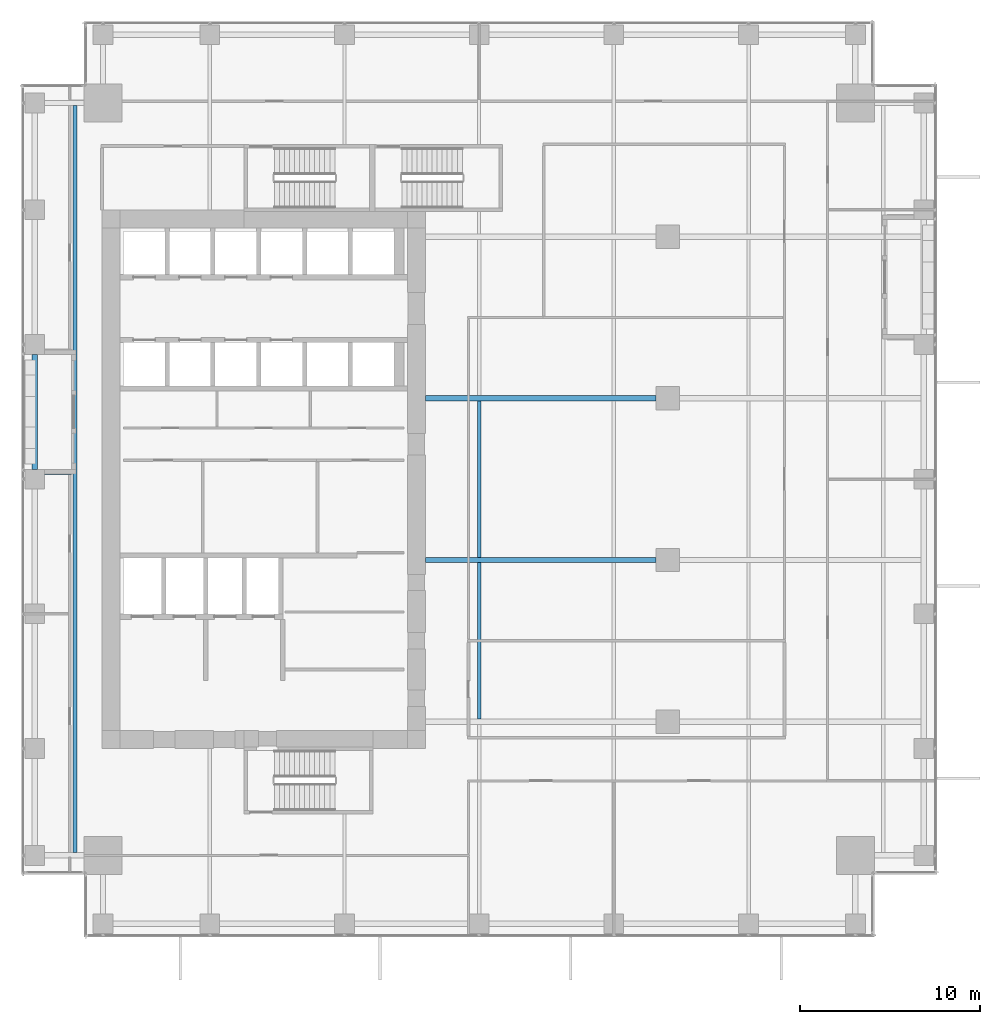
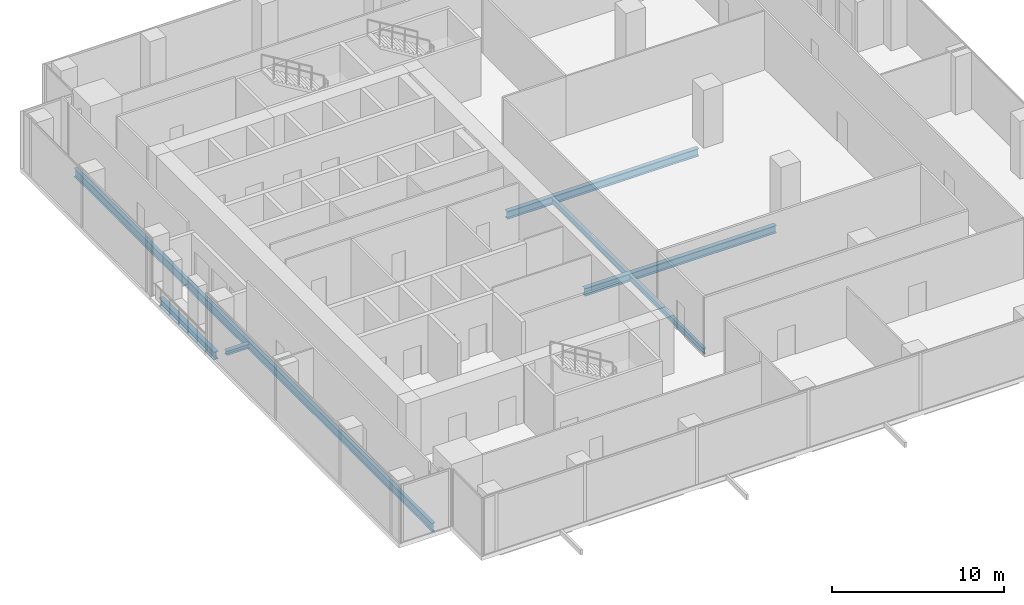
# One storey, part 8 of 35: 7 beams.
"""IFC4 building model written with IfcOpenShell, lengths in metres."""

from ifc_helpers import new_model, si_unit, direction, frame, origin, origin_2d, place, context, subcontext, project, spatial, i_section, extrude, source, transform, mapped, material, material_profile, profile_set, type_object, element, save


model = new_model("IFC4")

# Units and contexts
model_context = context("Model", 3, precision=1e-05, world=origin(), true_north=direction((0.0, 1.0)))
body_context = subcontext(model_context, "Body", "Model", "MODEL_VIEW")
ifc_project = project(units=[si_unit("LENGTHUNIT", "METRE"), si_unit("AREAUNIT", "SQUARE_METRE"), si_unit("VOLUMEUNIT", "CUBIC_METRE"), si_unit("PLANEANGLEUNIT", "RADIAN"), si_unit("MASSUNIT", "GRAM", prefix="KILO")], contexts=[model_context])

# Site, building, storey
site_placement = place(None, origin())
site = spatial("IfcSite", under=ifc_project, at=site_placement, CompositionType="ELEMENT")
building_placement = place(site_placement, origin())
building = spatial("IfcBuilding", under=site, at=building_placement, Name="Khomas Fold Tower", CompositionType="ELEMENT")
storey_placement = place(building_placement, frame((0.0, 0.0, 132.300048828125)))
storey = spatial("IfcBuildingStorey", under=building, at=storey_placement, Name="L28", CompositionType="ELEMENT", Elevation=132.300048828125)

# Beams
ifc_material_1 = material(Name="Steel S355", Category="steel")
ifc_material_profile_1 = material_profile(ifc_material_1, i_section(OverallWidth=0.179931640625, OverallDepth=0.39990234375, WebThickness=0.008544921875, FlangeThickness=0.013427734375, at=origin_2d()), Name="IPE 400")
ifc_profile_set_1 = profile_set([ifc_material_profile_1], Name="Steel S355")
beam_type_1 = type_object("IfcBeamType", Name="IPE 400 beam JB3", PredefinedType="BEAM", material=ifc_profile_set_1)
shared_shape_1 = source(origin(), body_context, "Body", "SweptSolid", [
    extrude(i_section(OverallWidth=0.179931640625, OverallDepth=0.39990234375, WebThickness=0.008544921875, FlangeThickness=0.013427734375, at=origin_2d()), origin(), (0.0, 0.0, 1.0), 8.7001953125),
])
for number, where, z_axis, x_axis, name in (
    (1, (27.0, 13.64990234375, -0.5), (0.0, 1.0, 0.0), (-1.0, 0.0, 0.0), "JB3"),
    (2, (27.0, 22.64990234375, -0.5), (0.0, 1.0, 0.0), (-1.0, 0.0, 0.0), "JB3"),
):
    element("IfcBeam", number, at=place(storey_placement, frame(where, z_axis=z_axis, x_axis=x_axis)), inside=storey, type_object=beam_type_1, Name=name, PredefinedType="BEAM", context=body_context, shape_type="MappedRepresentation", body=[
        mapped(shared_shape_1, transform((0.0, 0.0, 0.0))),
    ])
ifc_material_2 = material(Name="Steel S355", Category="steel")
ifc_material_profile_2 = material_profile(ifc_material_2, i_section(OverallWidth=0.300048828125, OverallDepth=0.550048828125, WebThickness=0.014892578125, FlangeThickness=0.029052734375, at=origin_2d()), Name="HE 550 B")
ifc_profile_set_2 = profile_set([ifc_material_profile_2], Name="Steel S355")
beam_type_2 = type_object("IfcBeamType", Name="HE 550 B spandrel SB2", PredefinedType="SPANDREL", material=ifc_profile_set_2)
shared_shape_2 = source(origin(), body_context, "Body", "SweptSolid", [
    extrude(i_section(OverallWidth=0.300048828125, OverallDepth=0.550048828125, WebThickness=0.014892578125, FlangeThickness=0.029052734375, at=origin_2d()), origin(), (0.0, 0.0, 1.0), 6.39990234375),
])
beam_1_placement = place(storey_placement, frame((2.25, 27.550048828125, -0.574951171875), z_axis=(0.0, 1.0, 0.0), x_axis=(-1.0, 0.0, 0.0)))
element("IfcBeam", 3, at=beam_1_placement, inside=storey, type_object=beam_type_2, Name="SB2", PredefinedType="SPANDREL", context=body_context, shape_type="MappedRepresentation", body=[
    mapped(shared_shape_2, transform((0.0, 0.0, 0.0))),
])
ifc_material_3 = material(Name="Steel S355", Category="steel")
ifc_material_profile_3 = material_profile(ifc_material_3, i_section(OverallWidth=0.300048828125, OverallDepth=0.550048828125, WebThickness=0.014892578125, FlangeThickness=0.029052734375, at=origin_2d()), Name="HE 550 B")
ifc_profile_set_3 = profile_set([ifc_material_profile_3], Name="Steel S355")
beam_type_3 = type_object("IfcBeamType", Name="HE 550 B beam GB4", PredefinedType="BEAM", material=ifc_profile_set_3)
shared_shape_3 = source(origin(), body_context, "Body", "SweptSolid", [
    extrude(i_section(OverallWidth=0.300048828125, OverallDepth=0.550048828125, WebThickness=0.014892578125, FlangeThickness=0.029052734375, at=origin_2d()), origin(), (0.0, 0.0, 1.0), 12.85009765625),
])
for number, where, z_axis, x_axis, name in (
    (4, (24.0, 22.5, -0.574951171875), (1.0, 0.0, 0.0), (0.0, 1.0, 0.0), "GB4"),
    (5, (24.0, 31.5, -0.574951171875), (1.0, 0.0, 0.0), (0.0, 1.0, 0.0), "GB4"),
):
    element("IfcBeam", number, at=place(storey_placement, frame(where, z_axis=z_axis, x_axis=x_axis)), inside=storey, type_object=beam_type_3, Name=name, PredefinedType="BEAM", context=body_context, shape_type="MappedRepresentation", body=[
        mapped(shared_shape_3, transform((0.0, 0.0, 0.0))),
    ])
ifc_material_4 = material(Name="Steel S355", Category="steel")
ifc_material_profile_4 = material_profile(ifc_material_4, i_section(OverallWidth=0.219970703125, OverallDepth=0.60009765625, WebThickness=0.011962890625, FlangeThickness=0.01904296875, at=origin_2d()), Name="IPE 600")
ifc_profile_set_4 = profile_set([ifc_material_profile_4], Name="Steel S355")
beam_type_4 = type_object("IfcBeamType", Name="IPE 600 beam JB7", PredefinedType="BEAM", material=ifc_profile_set_4)
shared_shape_4 = source(origin(), body_context, "Body", "SweptSolid", [
    extrude(i_section(OverallWidth=0.219970703125, OverallDepth=0.60009765625, WebThickness=0.011962890625, FlangeThickness=0.01904296875, at=origin_2d()), origin(), (0.0, 0.0, 1.0), 41.60009765625),
])
beam_2_placement = place(storey_placement, frame((4.5, 6.199951171875, -0.60009765625), z_axis=(0.0, 1.0, 0.0), x_axis=(-1.0, 0.0, 0.0)))
element("IfcBeam", 6, at=beam_2_placement, inside=storey, type_object=beam_type_4, Name="JB7", PredefinedType="BEAM", context=body_context, shape_type="MappedRepresentation", body=[
    mapped(shared_shape_4, transform((0.0, 0.0, 0.0))),
])
ifc_material_5 = material(Name="Steel S355", Category="steel")
ifc_material_profile_5 = material_profile(ifc_material_5, i_section(OverallWidth=0.300048828125, OverallDepth=0.300048828125, WebThickness=0.010986328125, FlangeThickness=0.01904296875, at=origin_2d()), Name="HE 300 B")
ifc_profile_set_5 = profile_set([ifc_material_profile_5], Name="Steel S355")
beam_type_5 = type_object("IfcBeamType", Name="HE 300 B beam BB1", PredefinedType="BEAM", material=ifc_profile_set_5)
shared_shape_5 = source(origin(), body_context, "Body", "SweptSolid", [
    extrude(i_section(OverallWidth=0.300048828125, OverallDepth=0.300048828125, WebThickness=0.010986328125, FlangeThickness=0.01904296875, at=origin_2d()), origin(), (0.0, 0.0, 1.0), 1.5),
])
beam_3_placement = place(storey_placement, frame((2.800048828125, 27.39990234375, -0.449951171875), z_axis=(1.0, 0.0, 0.0), x_axis=(0.0, 1.0, 0.0)))
element("IfcBeam", 7, at=beam_3_placement, inside=storey, type_object=beam_type_5, Name="BB1", PredefinedType="BEAM", context=body_context, shape_type="MappedRepresentation", body=[
    mapped(shared_shape_5, transform((0.0, 0.0, 0.0))),
])

save(model, "model.ifc")
